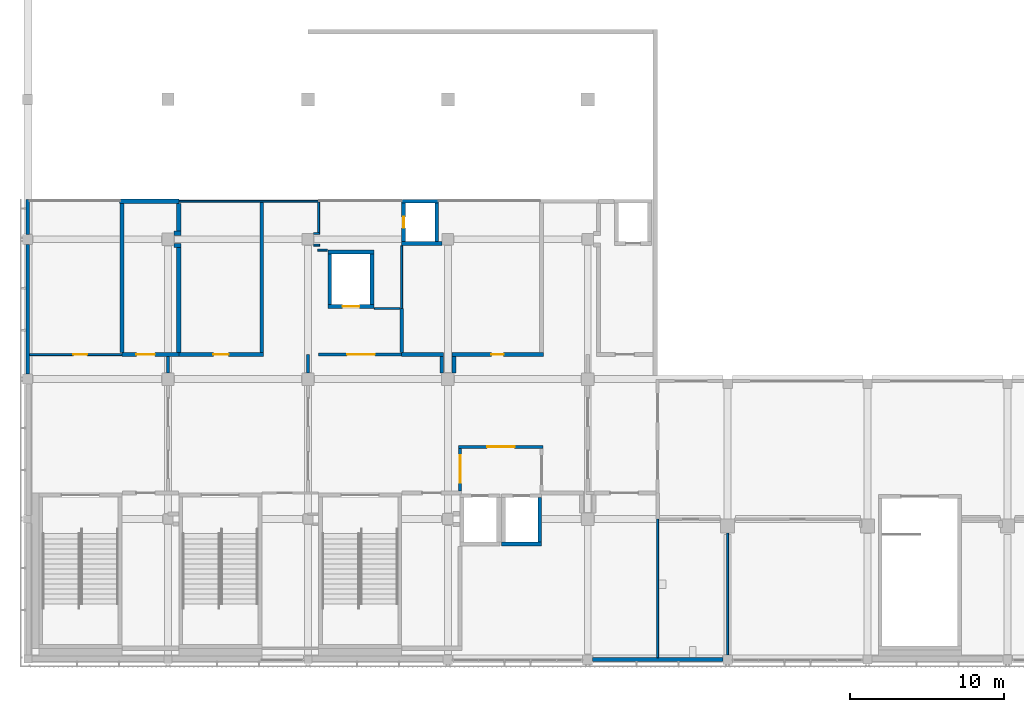
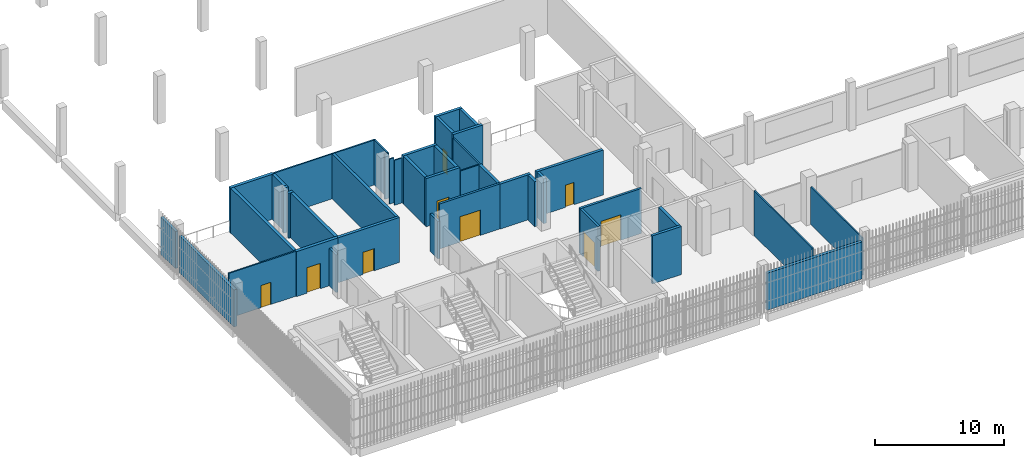
# One storey, part 54 of 104: 42 walls, 9 doors, 9 openings.
"""IFC4 building model written with IfcOpenShell, lengths in metres."""

from ifc_helpers import new_model, si_unit, direction, frame, frame_2d, origin, place, context, subcontext, project, spatial, rectangle, extrude, material, layer, layer_set, type_object, element, fill, save


model = new_model("IFC4")

# Units and contexts
model_context = context("Model", 3, precision=1e-05, world=origin(), true_north=direction((0.0, 1.0)))
body_context = subcontext(model_context, "Body", "Model", "MODEL_VIEW")
ifc_project = project(units=[si_unit("LENGTHUNIT", "METRE"), si_unit("AREAUNIT", "SQUARE_METRE"), si_unit("VOLUMEUNIT", "CUBIC_METRE"), si_unit("PLANEANGLEUNIT", "RADIAN"), si_unit("MASSUNIT", "GRAM", prefix="KILO")], contexts=[model_context])

# Site, building, storey
site_placement = place(None, origin())
site = spatial("IfcSite", under=ifc_project, at=site_placement, CompositionType="ELEMENT")
building_placement = place(site_placement, origin())
building = spatial("IfcBuilding", under=site, at=building_placement, Name="Shirokan Park Arena", CompositionType="ELEMENT")
storey_placement = place(building_placement, frame((0.0, 0.0, 10.919921875)))
storey = spatial("IfcBuildingStorey", under=building, at=storey_placement, Name="L02", CompositionType="ELEMENT", Elevation=10.919921875)

# Wall, opening, door
ifc_material_1 = material(Name="Plaster")
ifc_layer_1 = layer(ifc_material_1, 0.014892578125, Name="Plaster")
ifc_material_2 = material(Name="Concrete blockwork", Category="masonry")
ifc_layer_2 = layer(ifc_material_2, 0.219970703125, Name="Concrete blockwork 220")
ifc_layer_3 = layer(ifc_material_1, 0.014892578125, Name="Plaster")
ifc_layer_set_1 = layer_set([ifc_layer_1, ifc_layer_2, ifc_layer_3], Name="Plaster + Concrete blockwork 220")
wall_type_1 = type_object("IfcWallType", Name="Compartment wall 250", PredefinedType="SOLIDWALL", material=ifc_layer_set_1)
wall_1_placement = place(storey_placement, frame((9.800048828125, 19.800048828125, 0.0), z_axis=(0.0, 0.0, 1.0), x_axis=(1.0, 0.0, 0.0)))
wall_1 = element("IfcWall", 1, at=wall_1_placement, inside=storey, type_object=wall_type_1, Name="Compartment wall 250 L02", PredefinedType="SOLIDWALL", context=body_context, shape_type="SweptSolid", body=[
    extrude(rectangle(XDim=5.52490234375, YDim=0.25, at=frame_2d((2.762451171875, 0.0))), origin(), (0.0, 0.0, 1.0), 4.25),
])
opening_1_placement = place(wall_1_placement, frame((2.25, 0.0, 0.0)))
opening_1 = element("IfcOpeningElement", 2, at=opening_1_placement, cuts=wall_1, Name="Opening D-2005", PredefinedType="OPENING", context=body_context, shape_type="SweptSolid", body=[
    extrude(rectangle(XDim=1.0, YDim=2.10009765625, at=frame_2d((0.5, 1.050048828125))), frame((0.0, 0.135009765625, 0.0), z_axis=(0.0, -1.0, 0.0), x_axis=(1.0, 0.0, 0.0)), (0.0, 0.0, 1.0), 0.27001953125),
])
ifc_material_3 = material(Name="Timber door set, fire resisting", Category="wood")
door_type_1 = type_object("IfcDoorType", Name="Door 1000 x 2100", OperationType="SINGLE_SWING_LEFT", PredefinedType="DOOR", material=ifc_material_3)
door_1_placement = place(opening_1_placement, origin())
door_1 = element("IfcDoor", 3, at=door_1_placement, inside=storey, type_object=door_type_1, Name="Door to Glass Wash Room 2.16 D-2005", OperationType="SINGLE_SWING_RIGHT", OverallHeight=2.10009765625, OverallWidth=1.0, PredefinedType="DOOR", context=body_context, shape_type="SweptSolid", body=[
    extrude(rectangle(XDim=1.0, YDim=2.10009765625, at=frame_2d((0.5, 1.050048828125))), frame((0.0, 0.02490234375, 0.0), z_axis=(0.0, -1.0, 0.0), x_axis=(1.0, 0.0, 0.0)), (0.0, 0.0, 1.0), 0.050048828125),
])
fill(opening_1, door_1)

# Walls
wall_2_placement = place(storey_placement, frame((15.199951171875, 29.71240234375, 0.0), z_axis=(0.0, 0.0, 1.0), x_axis=(0.0, -1.0, 0.0)))
element("IfcWall", 4, at=wall_2_placement, inside=storey, type_object=wall_type_1, Name="Compartment wall 250 L02", PredefinedType="SOLIDWALL", context=body_context, shape_type="SweptSolid", body=[
    extrude(rectangle(XDim=9.787353515625, YDim=0.25, at=frame_2d((4.8935546875, 0.0))), origin(), (0.0, 0.0, 1.0), 4.25),
])
wall_3_placement = place(storey_placement, frame((24.300048828125, 19.800048828125, 0.0), z_axis=(0.0, 0.0, 1.0), x_axis=(1.0, 0.0, 0.0)))
element("IfcWall", 5, at=wall_3_placement, inside=storey, type_object=wall_type_1, Name="Compartment wall 250 L02", PredefinedType="SOLIDWALL", context=body_context, shape_type="SweptSolid", body=[
    extrude(rectangle(XDim=2.724853515625, YDim=0.25, at=frame_2d((1.3623046875, 0.0))), origin(), (0.0, 0.0, 1.0), 4.25),
])
wall_4_placement = place(storey_placement, frame((24.300048828125, 19.925048828125, 0.0), z_axis=(0.0, 0.0, 1.0), x_axis=(0.0, 1.0, 0.0)))
element("IfcWall", 6, at=wall_4_placement, inside=storey, type_object=wall_type_1, Name="Compartment wall 250 L02", PredefinedType="SOLIDWALL", context=body_context, shape_type="SweptSolid", body=[
    extrude(rectangle(XDim=2.875, YDim=0.25, at=frame_2d((1.4375, 0.0))), origin(), (0.0, 0.0, 1.0), 4.25),
])
wall_5_placement = place(storey_placement, frame((26.89990234375, 19.675048828125, 0.0), z_axis=(0.0, 0.0, 1.0), x_axis=(0.0, -1.0, 0.0)))
element("IfcWall", 7, at=wall_5_placement, inside=storey, type_object=wall_type_1, Name="Compartment wall 250 L02", PredefinedType="SOLIDWALL", context=body_context, shape_type="SweptSolid", body=[
    extrude(rectangle(XDim=1.074951171875, YDim=0.25, at=frame_2d((0.53759765625, 0.0))), origin(), (0.0, 0.0, 1.0), 4.25),
])

# Wall, opening, door
wall_6_placement = place(storey_placement, frame((27.574951171875, 19.800048828125, 0.0), z_axis=(0.0, 0.0, 1.0), x_axis=(1.0, 0.0, 0.0)))
wall_6 = element("IfcWall", 8, at=wall_6_placement, inside=storey, type_object=wall_type_1, Name="Compartment wall 250 L02", PredefinedType="SOLIDWALL", context=body_context, shape_type="SweptSolid", body=[
    extrude(rectangle(XDim=5.949951171875, YDim=0.25, at=frame_2d((2.97509765625, 0.0))), origin(), (0.0, 0.0, 1.0), 4.25),
])
opening_2_placement = place(wall_6_placement, frame((2.550048828125, 0.0, 0.0)))
opening_2 = element("IfcOpeningElement", 9, at=opening_2_placement, cuts=wall_6, Name="Opening D-2002", PredefinedType="OPENING", context=body_context, shape_type="SweptSolid", body=[
    extrude(rectangle(XDim=0.800048828125, YDim=2.10009765625, at=frame_2d((0.39990234375, 1.050048828125))), frame((0.0, 0.135009765625, 0.0), z_axis=(0.0, -1.0, 0.0), x_axis=(1.0, 0.0, 0.0)), (0.0, 0.0, 1.0), 0.27001953125),
])
door_type_2 = type_object("IfcDoorType", Name="Cleaner store door 800 x 2100", OperationType="SINGLE_SWING_LEFT", PredefinedType="DOOR", material=ifc_material_3)
door_2_placement = place(opening_2_placement, origin())
door_2 = element("IfcDoor", 10, at=door_2_placement, inside=storey, type_object=door_type_2, Name="Door to Cleaner's Store 2.18 D-2002", OperationType="SINGLE_SWING_RIGHT", OverallHeight=2.10009765625, OverallWidth=0.800048828125, PredefinedType="DOOR", context=body_context, shape_type="SweptSolid", body=[
    extrude(rectangle(XDim=0.800048828125, YDim=2.10009765625, at=frame_2d((0.39990234375, 1.050048828125))), frame((0.0, 0.02490234375, 0.0), z_axis=(0.0, -1.0, 0.0), x_axis=(1.0, 0.0, 0.0)), (0.0, 0.0, 1.0), 0.050048828125),
])
fill(opening_2, door_2)

# Walls
wall_7_placement = place(storey_placement, frame((27.699951171875, 18.60009765625, 0.0), z_axis=(0.0, 0.0, 1.0), x_axis=(0.0, 1.0, 0.0)))
element("IfcWall", 11, at=wall_7_placement, inside=storey, type_object=wall_type_1, Name="Compartment wall 250 L02", PredefinedType="SOLIDWALL", context=body_context, shape_type="SweptSolid", body=[
    extrude(rectangle(XDim=1.074951171875, YDim=0.25, at=frame_2d((0.53759765625, 0.0))), origin(), (0.0, 0.0, 1.0), 4.25),
])
ifc_material_4 = material(Name="Gypsum board")
ifc_layer_4 = layer(ifc_material_4, 0.02490234375, Name="Gypsum board, two layers")
ifc_material_5 = material(Name="Mineral wool insulation")
ifc_layer_5 = layer(ifc_material_5, 0.14990234375, Name="Mineral wool insulation")
ifc_layer_6 = layer(ifc_material_4, 0.02490234375, Name="Gypsum board, two layers")
ifc_layer_set_2 = layer_set([ifc_layer_4, ifc_layer_5, ifc_layer_6], Name="Gypsum board, two layers + Mineral wool insulation")
wall_type_2 = type_object("IfcWallType", Name="Corridor wall 200", PredefinedType="PARTITIONING", material=ifc_layer_set_2)
wall_8_placement = place(storey_placement, frame((9.10009765625, 19.66259765625, 0.0), z_axis=(0.0, 0.0, 1.0), x_axis=(0.0, -1.0, 0.0)))
element("IfcWall", 12, at=wall_8_placement, inside=storey, type_object=wall_type_2, Name="Corridor wall 200 L02", PredefinedType="PARTITIONING", context=body_context, shape_type="SweptSolid", body=[
    extrude(rectangle(XDim=1.0625, YDim=0.199951171875, at=frame_2d((0.53125, 0.0))), origin(), (0.0, 0.0, 1.0), 3.550048828125),
])
wall_9_placement = place(storey_placement, frame((18.199951171875, 19.800048828125, 0.0), z_axis=(0.0, 0.0, 1.0), x_axis=(0.0, -1.0, 0.0)))
element("IfcWall", 13, at=wall_9_placement, inside=storey, type_object=wall_type_2, Name="Corridor wall 200 L02", PredefinedType="PARTITIONING", context=body_context, shape_type="SweptSolid", body=[
    extrude(rectangle(XDim=1.199951171875, YDim=0.199951171875, at=frame_2d((0.60009765625, 0.0))), origin(), (0.0, 0.0, 1.0), 3.550048828125),
])

# Wall, opening, door
wall_10_placement = place(storey_placement, frame((18.89990234375, 19.800048828125, 0.0), z_axis=(0.0, 0.0, 1.0), x_axis=(1.0, 0.0, 0.0)))
wall_10 = element("IfcWall", 14, at=wall_10_placement, inside=storey, type_object=wall_type_2, Name="Corridor wall 200 L02", PredefinedType="PARTITIONING", context=body_context, shape_type="SweptSolid", body=[
    extrude(rectangle(XDim=5.400146484375, YDim=0.199951171875, at=frame_2d((2.7001953125, 0.0))), origin(), (0.0, 0.0, 1.0), 4.25),
])
opening_3_placement = place(wall_10_placement, frame((1.85009765625, 0.0, 0.0)))
opening_3 = element("IfcOpeningElement", 15, at=opening_3_placement, cuts=wall_10, Name="Opening D-2052", PredefinedType="OPENING", context=body_context, shape_type="SweptSolid", body=[
    extrude(rectangle(XDim=1.800048828125, YDim=2.39990234375, at=frame_2d((0.89990234375, 1.199951171875))), frame((0.0, 0.10986328125, 0.0), z_axis=(0.0, -1.0, 0.0), x_axis=(1.0, 0.0, 0.0)), (0.0, 0.0, 1.0), 0.219970703125),
])
ifc_material_6 = material(Name="Glazed steel door set, fire resisting", Category="steel")
door_type_3 = type_object("IfcDoorType", Name="Lift lobby door 1800 x 2400", OperationType="DOUBLE_DOOR_SINGLE_SWING", PredefinedType="DOOR", material=ifc_material_6)
door_3_placement = place(opening_3_placement, origin())
door_3 = element("IfcDoor", 16, at=door_3_placement, inside=storey, type_object=door_type_3, Name="Door between Club Gallery 1.2.3 and Service Lift Lobby 1.2 D-2052", OperationType="DOUBLE_DOOR_SINGLE_SWING", OverallHeight=2.39990234375, OverallWidth=1.800048828125, PredefinedType="DOOR", context=body_context, shape_type="SweptSolid", body=[
    extrude(rectangle(XDim=1.800048828125, YDim=2.39990234375, at=frame_2d((0.89990234375, 1.199951171875))), frame((0.0, 0.02490234375, 0.0), z_axis=(0.0, -1.0, 0.0), x_axis=(1.0, 0.0, 0.0)), (0.0, 0.0, 1.0), 0.050048828125),
])
fill(opening_3, door_3)

wall_11_placement = place(storey_placement, frame((28.10009765625, 13.699951171875, 0.0), z_axis=(0.0, 0.0, 1.0), x_axis=(0.0, -1.0, 0.0)))
wall_11 = element("IfcWall", 17, at=wall_11_placement, inside=storey, type_object=wall_type_2, Name="Corridor wall 200 L02", PredefinedType="PARTITIONING", context=body_context, shape_type="SweptSolid", body=[
    extrude(rectangle(XDim=2.762451171875, YDim=0.199951171875, at=frame_2d((1.38134765625, 0.0))), origin(), (0.0, 0.0, 1.0), 4.25),
])
opening_4_placement = place(wall_11_placement, frame((0.449951171875, 0.0, 0.0)))
opening_4 = element("IfcOpeningElement", 18, at=opening_4_placement, cuts=wall_11, Name="Opening D-2051", PredefinedType="OPENING", context=body_context, shape_type="SweptSolid", body=[
    extrude(rectangle(XDim=1.800048828125, YDim=2.39990234375, at=frame_2d((0.89990234375, 1.199951171875))), frame((0.0, 0.10986328125, 0.0), z_axis=(0.0, -1.0, 0.0), x_axis=(1.0, 0.0, 0.0)), (0.0, 0.0, 1.0), 0.219970703125),
])
door_4_placement = place(opening_4_placement, origin())
door_4 = element("IfcDoor", 19, at=door_4_placement, inside=storey, type_object=door_type_3, Name="Door between Club Gallery 1.2.3 and Lift Lobby 1.2 D-2051", OperationType="DOUBLE_DOOR_SINGLE_SWING", OverallHeight=2.39990234375, OverallWidth=1.800048828125, PredefinedType="DOOR", context=body_context, shape_type="SweptSolid", body=[
    extrude(rectangle(XDim=1.800048828125, YDim=2.39990234375, at=frame_2d((0.89990234375, 1.199951171875))), frame((0.0, 0.02490234375, 0.0), z_axis=(0.0, -1.0, 0.0), x_axis=(1.0, 0.0, 0.0)), (0.0, 0.0, 1.0), 0.050048828125),
])
fill(opening_4, door_4)

wall_12_placement = place(storey_placement, frame((33.5, 13.800048828125, 0.0), z_axis=(0.0, 0.0, 1.0), x_axis=(-1.0, 0.0, 0.0)))
wall_12 = element("IfcWall", 20, at=wall_12_placement, inside=storey, type_object=wall_type_2, Name="Corridor wall 200 L02", PredefinedType="PARTITIONING", context=body_context, shape_type="SweptSolid", body=[
    extrude(rectangle(XDim=5.5, YDim=0.199951171875, at=frame_2d((2.75, 0.0))), origin(), (0.0, 0.0, 1.0), 4.25),
])
opening_5_placement = place(wall_12_placement, frame((1.85009765625, 0.0, 0.0)))
opening_5 = element("IfcOpeningElement", 21, at=opening_5_placement, cuts=wall_12, Name="Opening D-2049", PredefinedType="OPENING", context=body_context, shape_type="SweptSolid", body=[
    extrude(rectangle(XDim=1.800048828125, YDim=2.39990234375, at=frame_2d((0.89990234375, 1.199951171875))), frame((0.0, 0.10986328125, 0.0), z_axis=(0.0, -1.0, 0.0), x_axis=(1.0, 0.0, 0.0)), (0.0, 0.0, 1.0), 0.219970703125),
])
door_5_placement = place(opening_5_placement, origin())
door_5 = element("IfcDoor", 22, at=door_5_placement, inside=storey, type_object=door_type_3, Name="Door between Club Gallery 1.2.3 and Lift Lobby 1.2 D-2049", OperationType="DOUBLE_DOOR_SINGLE_SWING", OverallHeight=2.39990234375, OverallWidth=1.800048828125, PredefinedType="DOOR", context=body_context, shape_type="SweptSolid", body=[
    extrude(rectangle(XDim=1.800048828125, YDim=2.39990234375, at=frame_2d((0.89990234375, 1.199951171875))), frame((0.0, 0.02490234375, 0.0), z_axis=(0.0, -1.0, 0.0), x_axis=(1.0, 0.0, 0.0)), (0.0, 0.0, 1.0), 0.050048828125),
])
fill(opening_5, door_5)

ifc_layer_7 = layer(ifc_material_1, 0.012451171875, Name="Plaster")
ifc_layer_8 = layer(ifc_material_2, 0.25, Name="Concrete blockwork 250")
ifc_layer_9 = layer(ifc_material_1, 0.012451171875, Name="Plaster")
ifc_layer_set_3 = layer_set([ifc_layer_7, ifc_layer_8, ifc_layer_9], Name="Plaster + Concrete blockwork 250")
wall_type_3 = type_object("IfcWallType", Name="Plant room wall 275", PredefinedType="SOLIDWALL", material=ifc_layer_set_3)
wall_13_placement = place(storey_placement, frame((6.10009765625, 19.800048828125, 0.0), z_axis=(0.0, 0.0, 1.0), x_axis=(1.0, 0.0, 0.0)))
wall_13 = element("IfcWall", 23, at=wall_13_placement, inside=storey, type_object=wall_type_3, Name="Plant room wall 275 L02", PredefinedType="SOLIDWALL", context=body_context, shape_type="SweptSolid", body=[
    extrude(rectangle(XDim=3.699951171875, YDim=0.27490234375, at=frame_2d((1.85009765625, 0.0))), origin(), (0.0, 0.0, 1.0), 4.25),
])
opening_6_placement = place(wall_13_placement, frame((0.949951171875, 0.0, 0.0)))
opening_6 = element("IfcOpeningElement", 24, at=opening_6_placement, cuts=wall_13, Name="Opening D-2001", PredefinedType="OPENING", context=body_context, shape_type="SweptSolid", body=[
    extrude(rectangle(XDim=1.199951171875, YDim=2.39990234375, at=frame_2d((0.60009765625, 1.199951171875))), frame((0.0, 0.1474609375, 0.0), z_axis=(0.0, -1.0, 0.0), x_axis=(1.0, 0.0, 0.0)), (0.0, 0.0, 1.0), 0.294921875),
])
ifc_material_7 = material(Name="Louvred steel door set, fire resisting", Category="steel")
door_type_4 = type_object("IfcDoorType", Name="Plant room door 1200 x 2400", OperationType="SINGLE_SWING_LEFT", PredefinedType="DOOR", material=ifc_material_7)
door_6_placement = place(opening_6_placement, origin())
door_6 = element("IfcDoor", 25, at=door_6_placement, inside=storey, type_object=door_type_4, Name="Door to Communications Room 2.17 D-2001", OperationType="SINGLE_SWING_LEFT", OverallHeight=2.39990234375, OverallWidth=1.199951171875, PredefinedType="DOOR", context=body_context, shape_type="SweptSolid", body=[
    extrude(rectangle(XDim=1.199951171875, YDim=2.39990234375, at=frame_2d((0.60009765625, 1.199951171875))), frame((0.0, 0.02490234375, 0.0), z_axis=(0.0, -1.0, 0.0), x_axis=(1.0, 0.0, 0.0)), (0.0, 0.0, 1.0), 0.050048828125),
])
fill(opening_6, door_6)

# Walls
wall_14_placement = place(storey_placement, frame((6.10009765625, 29.637451171875, 0.0), z_axis=(0.0, 0.0, 1.0), x_axis=(0.0, -1.0, 0.0)))
element("IfcWall", 26, at=wall_14_placement, inside=storey, type_object=wall_type_3, Name="Plant room wall 275 L02", PredefinedType="SOLIDWALL", context=body_context, shape_type="SweptSolid", body=[
    extrude(rectangle(XDim=9.699951171875, YDim=0.27490234375, at=frame_2d((4.85009765625, 0.0))), origin(), (0.0, 0.0, 1.0), 4.25),
])
wall_15_placement = place(storey_placement, frame((9.5, 27.699951171875, 0.0), z_axis=(0.0, 0.0, 1.0), x_axis=(1.0, 0.0, 0.0)))
element("IfcWall", 27, at=wall_15_placement, inside=storey, type_object=wall_type_3, Name="Plant room wall 275 L02", PredefinedType="SOLIDWALL", context=body_context, shape_type="SweptSolid", body=[
    extrude(rectangle(XDim=0.4375, YDim=0.27490234375, at=frame_2d((0.21875, 0.0))), origin(), (0.0, 0.0, 1.0), 4.25),
])
wall_16_placement = place(storey_placement, frame((9.800048828125, 19.9375, 0.0), z_axis=(0.0, 0.0, 1.0), x_axis=(0.0, 1.0, 0.0)))
element("IfcWall", 28, at=wall_16_placement, inside=storey, type_object=wall_type_3, Name="Plant room wall 275 L02", PredefinedType="SOLIDWALL", context=body_context, shape_type="SweptSolid", body=[
    extrude(rectangle(XDim=6.824951171875, YDim=0.27490234375, at=frame_2d((3.41259765625, 0.0))), origin(), (0.0, 0.0, 1.0), 4.25),
])
wall_17_placement = place(storey_placement, frame((9.800048828125, 27.83740234375, 0.0), z_axis=(0.0, 0.0, 1.0), x_axis=(0.0, 1.0, 0.0)))
element("IfcWall", 29, at=wall_17_placement, inside=storey, type_object=wall_type_3, Name="Plant room wall 275 L02", PredefinedType="SOLIDWALL", context=body_context, shape_type="SweptSolid", body=[
    extrude(rectangle(XDim=1.800048828125, YDim=0.27490234375, at=frame_2d((0.89990234375, 0.0))), origin(), (0.0, 0.0, 1.0), 4.25),
])
wall_18_placement = place(storey_placement, frame((9.800048828125, 29.77490234375, 0.0), z_axis=(0.0, 0.0, 1.0), x_axis=(-1.0, 0.0, 0.0)))
element("IfcWall", 30, at=wall_18_placement, inside=storey, type_object=wall_type_3, Name="Plant room wall 275 L02", PredefinedType="SOLIDWALL", context=body_context, shape_type="SweptSolid", body=[
    extrude(rectangle(XDim=3.837646484375, YDim=0.27490234375, at=frame_2d((1.9189453125, 0.0))), origin(), (0.0, 0.0, 1.0), 4.25),
])
wall_19_placement = place(storey_placement, frame((9.9375, 26.89990234375, 0.0), z_axis=(0.0, 0.0, 1.0), x_axis=(-1.0, 0.0, 0.0)))
element("IfcWall", 31, at=wall_19_placement, inside=storey, type_object=wall_type_3, Name="Plant room wall 275 L02", PredefinedType="SOLIDWALL", context=body_context, shape_type="SweptSolid", body=[
    extrude(rectangle(XDim=0.4375, YDim=0.27490234375, at=frame_2d((0.21875, 0.0))), origin(), (0.0, 0.0, 1.0), 4.25),
])
ifc_material_8 = material(Name="Concrete C40/50 precast", Category="concrete")
ifc_layer_10 = layer(ifc_material_8, 0.10009765625, Name="Concrete C40/50 precast")
ifc_layer_11 = layer(ifc_material_5, 0.10009765625, Name="Mineral wool insulation")
ifc_material_9 = material(Name="Gypsum board lining")
ifc_layer_12 = layer(ifc_material_9, 0.050048828125, Name="Gypsum board lining")
ifc_layer_set_4 = layer_set([ifc_layer_10, ifc_layer_11, ifc_layer_12], Name="Concrete C40/50 precast + Mineral wool insulation + Gypsum board lining")
wall_type_4 = type_object("IfcWallType", Name="Precast concrete panel wall 250", PredefinedType="SOLIDWALL", material=ifc_layer_set_4)
wall_20_placement = place(storey_placement, frame((36.72509765625, -0.02490234375, 0.0), z_axis=(0.0, 0.0, 1.0), x_axis=(1.0, 0.0, 0.0)))
element("IfcWall", 32, at=wall_20_placement, inside=storey, type_object=wall_type_4, Name="South facade wall bay 5 L02", PredefinedType="SOLIDWALL", context=body_context, shape_type="SweptSolid", body=[
    extrude(rectangle(XDim=8.474853515625, YDim=0.25, at=frame_2d((4.2373046875, 0.0))), origin(), (0.0, 0.0, 1.0), 3.5),
])
wall_21_placement = place(storey_placement, frame((-0.02490234375, 29.89990234375, 0.0), z_axis=(0.0, 0.0, 1.0), x_axis=(0.0, -1.0, 0.0)))
element("IfcWall", 33, at=wall_21_placement, inside=storey, type_object=wall_type_4, Name="West facade wall bay 9 L02", PredefinedType="SOLIDWALL", context=body_context, shape_type="SweptSolid", body=[
    extrude(rectangle(XDim=2.27490234375, YDim=0.25, at=frame_2d((1.137451171875, 0.0))), origin(), (0.0, 0.0, 1.0), 3.5),
])
wall_22_placement = place(storey_placement, frame((-0.02490234375, 26.97509765625, 0.0), z_axis=(0.0, 0.0, 1.0), x_axis=(0.0, -1.0, 0.0)))
element("IfcWall", 34, at=wall_22_placement, inside=storey, type_object=wall_type_4, Name="West facade wall bay 10 L02", PredefinedType="SOLIDWALL", context=body_context, shape_type="SweptSolid", body=[
    extrude(rectangle(XDim=8.4501953125, YDim=0.25, at=frame_2d((4.22509765625, 0.0))), origin(), (0.0, 0.0, 1.0), 3.5),
])
ifc_material_10 = material(Name="Concrete C40/50", Category="concrete")
ifc_layer_13 = layer(ifc_material_10, 0.25)
ifc_layer_set_5 = layer_set([ifc_layer_13], Name="Concrete C40/50 250 mm")
wall_type_5 = type_object("IfcWallType", Name="RC shear wall 250", PredefinedType="SHEAR", material=ifc_layer_set_5)
wall_23_placement = place(storey_placement, frame((33.39990234375, 7.47509765625, 0.0), z_axis=(0.0, 0.0, 1.0), x_axis=(-1.0, 0.0, 0.0)))
element("IfcWall", 35, at=wall_23_placement, inside=storey, type_object=wall_type_5, Name="Shaft wall Passenger Lift 1.2 S L02", PredefinedType="SHEAR", context=body_context, shape_type="SweptSolid", body=[
    extrude(rectangle(XDim=2.599853515625, YDim=0.25, at=frame_2d((1.2998046875, 0.0))), origin(), (0.0, 0.0, 1.0), 4.550048828125),
])
wall_24_placement = place(storey_placement, frame((33.27490234375, 10.5, 0.0), z_axis=(0.0, 0.0, 1.0), x_axis=(0.0, -1.0, 0.0)))
element("IfcWall", 36, at=wall_24_placement, inside=storey, type_object=wall_type_5, Name="Shaft wall Passenger Lift 1.2 E L02", PredefinedType="SHEAR", context=body_context, shape_type="SweptSolid", body=[
    extrude(rectangle(XDim=2.89990234375, YDim=0.25, at=frame_2d((1.449951171875, 0.0))), origin(), (0.0, 0.0, 1.0), 4.550048828125),
])
wall_25_placement = place(storey_placement, frame((26.925048828125, 27.02490234375, 0.0), z_axis=(0.0, 0.0, 1.0), x_axis=(-1.0, 0.0, 0.0)))
element("IfcWall", 37, at=wall_25_placement, inside=storey, type_object=wall_type_5, Name="Shaft wall Services Riser 1.2 S L02", PredefinedType="SHEAR", context=body_context, shape_type="SweptSolid", body=[
    extrude(rectangle(XDim=2.625, YDim=0.25, at=frame_2d((1.3125, 0.0))), origin(), (0.0, 0.0, 1.0), 4.550048828125),
])
wall_26_placement = place(storey_placement, frame((26.699951171875, 29.77490234375, 0.0), z_axis=(0.0, 0.0, 1.0), x_axis=(-1.0, 0.0, 0.0)))
element("IfcWall", 38, at=wall_26_placement, inside=storey, type_object=wall_type_5, Name="Shaft wall Services Riser 1.2 N L02", PredefinedType="SHEAR", context=body_context, shape_type="SweptSolid", body=[
    extrude(rectangle(XDim=2.39990234375, YDim=0.25, at=frame_2d((1.199951171875, 0.0))), origin(), (0.0, 0.0, 1.0), 4.550048828125),
])

# Wall, opening, door
wall_27_placement = place(storey_placement, frame((24.425048828125, 29.64990234375, 0.0), z_axis=(0.0, 0.0, 1.0), x_axis=(0.0, -1.0, 0.0)))
wall_27 = element("IfcWall", 39, at=wall_27_placement, inside=storey, type_object=wall_type_5, Name="Shaft wall Services Riser 1.2 W L02", PredefinedType="SHEAR", context=body_context, shape_type="SweptSolid", body=[
    extrude(rectangle(XDim=2.5, YDim=0.25, at=frame_2d((1.25, 0.0))), origin(), (0.0, 0.0, 1.0), 4.550048828125),
])
opening_7_placement = place(wall_27_placement, frame((0.89990234375, 0.0, 0.0)))
opening_7 = element("IfcOpeningElement", 40, at=opening_7_placement, cuts=wall_27, Name="Opening D-2084", PredefinedType="OPENING", context=body_context, shape_type="SweptSolid", body=[
    extrude(rectangle(XDim=0.699951171875, YDim=2.10009765625, at=frame_2d((0.35009765625, 1.050048828125))), frame((0.0, 0.135009765625, 0.0), z_axis=(0.0, -1.0, 0.0), x_axis=(1.0, 0.0, 0.0)), (0.0, 0.0, 1.0), 0.27001953125),
])
ifc_material_11 = material(Name="Steel door set, fire resisting", Category="steel")
door_type_5 = type_object("IfcDoorType", Name="Mechanical riser door 700 x 2100", OperationType="SINGLE_SWING_LEFT", PredefinedType="DOOR", material=ifc_material_11)
door_7_placement = place(opening_7_placement, origin())
door_7 = element("IfcDoor", 41, at=door_7_placement, inside=storey, type_object=door_type_5, Name="Riser access door Services Riser 1.2 D-2084", OperationType="SINGLE_SWING_LEFT", OverallHeight=2.10009765625, OverallWidth=0.699951171875, PredefinedType="DOOR", context=body_context, shape_type="SweptSolid", body=[
    extrude(rectangle(XDim=0.699951171875, YDim=2.10009765625, at=frame_2d((0.35009765625, 1.050048828125))), frame((0.0, 0.02490234375, 0.0), z_axis=(0.0, -1.0, 0.0), x_axis=(1.0, 0.0, 0.0)), (0.0, 0.0, 1.0), 0.050048828125),
])
fill(opening_7, door_7)

# Wall
wall_28_placement = place(storey_placement, frame((26.574951171875, 29.64990234375, 0.0), z_axis=(0.0, 0.0, 1.0), x_axis=(0.0, -1.0, 0.0)))
element("IfcWall", 42, at=wall_28_placement, inside=storey, type_object=wall_type_5, Name="Shaft wall Services Riser 1.2 E L02", PredefinedType="SHEAR", context=body_context, shape_type="SweptSolid", body=[
    extrude(rectangle(XDim=2.5, YDim=0.25, at=frame_2d((1.25, 0.0))), origin(), (0.0, 0.0, 1.0), 4.550048828125),
])

# Wall, opening, door
wall_29_placement = place(storey_placement, frame((22.5, 22.925048828125, 0.0), z_axis=(0.0, 0.0, 1.0), x_axis=(-1.0, 0.0, 0.0)))
wall_29 = element("IfcWall", 43, at=wall_29_placement, inside=storey, type_object=wall_type_5, Name="Shaft wall Service Lift 1 S L02", PredefinedType="SHEAR", context=body_context, shape_type="SweptSolid", body=[
    extrude(rectangle(XDim=3.0, YDim=0.25, at=frame_2d((1.5, 0.0))), origin(), (0.0, 0.0, 1.0), 4.550048828125),
])
opening_8_placement = place(wall_29_placement, frame((0.949951171875, 0.0, 0.0)))
opening_8 = element("IfcOpeningElement", 44, at=opening_8_placement, cuts=wall_29, Name="Opening LD51", PredefinedType="OPENING", context=body_context, shape_type="SweptSolid", body=[
    extrude(rectangle(XDim=1.10009765625, YDim=2.10009765625, at=frame_2d((0.550048828125, 1.050048828125))), frame((0.0, 0.135009765625, 0.0), z_axis=(0.0, -1.0, 0.0), x_axis=(1.0, 0.0, 0.0)), (0.0, 0.0, 1.0), 0.27001953125),
])
ifc_material_12 = material(Name="Stainless steel", Category="steel")
door_type_6 = type_object("IfcDoorType", Name="Lift landing door 1100x2100", OperationType="DOUBLE_DOOR_SLIDING", PredefinedType="DOOR", material=ifc_material_12)
door_8_placement = place(opening_8_placement, origin())
door_8 = element("IfcDoor", 45, at=door_8_placement, inside=storey, type_object=door_type_6, Name="Lift landing door Service Lift 1 L02", OperationType="DOUBLE_DOOR_SLIDING", OverallHeight=2.10009765625, OverallWidth=1.10009765625, PredefinedType="DOOR", context=body_context, shape_type="SweptSolid", body=[
    extrude(rectangle(XDim=1.10009765625, YDim=2.10009765625, at=frame_2d((0.550048828125, 1.050048828125))), frame((0.0, 0.02490234375, 0.0), z_axis=(0.0, -1.0, 0.0), x_axis=(1.0, 0.0, 0.0)), (0.0, 0.0, 1.0), 0.050048828125),
])
fill(opening_8, door_8)

# Walls
wall_30_placement = place(storey_placement, frame((22.5, 26.47509765625, 0.0), z_axis=(0.0, 0.0, 1.0), x_axis=(-1.0, 0.0, 0.0)))
element("IfcWall", 46, at=wall_30_placement, inside=storey, type_object=wall_type_5, Name="Shaft wall Service Lift 1 N L02", PredefinedType="SHEAR", context=body_context, shape_type="SweptSolid", body=[
    extrude(rectangle(XDim=3.0, YDim=0.25, at=frame_2d((1.5, 0.0))), origin(), (0.0, 0.0, 1.0), 4.550048828125),
])
for number, where, z_axis, x_axis, name in (
    (47, (19.625, 26.35009765625, 0.0), (0.0, 0.0, 1.0), (0.0, -1.0, 0.0), "Shaft wall Service Lift 1 W L02"),
    (48, (22.375, 26.35009765625, 0.0), (0.0, 0.0, 1.0), (0.0, -1.0, 0.0), "Shaft wall Service Lift 1 E L02"),
):
    element("IfcWall", number, at=place(storey_placement, frame(where, z_axis=z_axis, x_axis=x_axis)), inside=storey, type_object=wall_type_5, Name=name, PredefinedType="SHEAR", context=body_context, shape_type="SweptSolid", body=[
        extrude(rectangle(XDim=3.300048828125, YDim=0.25, at=frame_2d((1.64990234375, 0.0))), origin(), (0.0, 0.0, 1.0), 4.550048828125),
    ])

# Wall, opening, door
ifc_material_13 = material(Name="Ceramic tile")
ifc_layer_14 = layer(ifc_material_13, 0.010009765625, Name="Ceramic tile")
ifc_material_14 = material(Name="Cement board")
ifc_layer_15 = layer(ifc_material_14, 0.012451171875, Name="Cement board")
ifc_layer_16 = layer(ifc_material_5, 0.080078125, Name="Mineral wool insulation")
ifc_layer_17 = layer(ifc_material_14, 0.012451171875, Name="Cement board")
ifc_layer_18 = layer(ifc_material_13, 0.010009765625, Name="Ceramic tile")
ifc_layer_set_6 = layer_set([ifc_layer_14, ifc_layer_15, ifc_layer_16, ifc_layer_17, ifc_layer_18], Name="Ceramic tile + Cement board + Mineral wool insulation")
wall_type_6 = type_object("IfcWallType", Name="Wet-area wall 125", PredefinedType="PARTITIONING", material=ifc_layer_set_6)
wall_31_placement = place(storey_placement, frame((0.10009765625, 19.800048828125, 0.0), z_axis=(0.0, 0.0, 1.0), x_axis=(1.0, 0.0, 0.0)))
wall_31 = element("IfcWall", 49, at=wall_31_placement, inside=storey, type_object=wall_type_6, Name="Wet-area wall 125 L02", PredefinedType="PARTITIONING", context=body_context, shape_type="SweptSolid", body=[
    extrude(rectangle(XDim=6.0, YDim=0.125, at=frame_2d((3.0, 0.0))), origin(), (0.0, 0.0, 1.0), 4.25),
])
opening_9_placement = place(wall_31_placement, frame((2.85009765625, 0.0, 0.0)))
opening_9 = element("IfcOpeningElement", 50, at=opening_9_placement, cuts=wall_31, Name="Opening D-2004", PredefinedType="OPENING", context=body_context, shape_type="SweptSolid", body=[
    extrude(rectangle(XDim=0.89990234375, YDim=2.10009765625, at=frame_2d((0.449951171875, 1.050048828125))), frame((0.0, 0.072509765625, 0.0), z_axis=(0.0, -1.0, 0.0), x_axis=(1.0, 0.0, 0.0)), (0.0, 0.0, 1.0), 0.14501953125),
])
door_type_7 = type_object("IfcDoorType", Name="Door 900 x 2100", OperationType="SINGLE_SWING_LEFT", PredefinedType="DOOR", material=ifc_material_3)
door_9_placement = place(opening_9_placement, origin())
door_9 = element("IfcDoor", 51, at=door_9_placement, inside=storey, type_object=door_type_7, Name="Door to Staff WC 2.15 D-2004", OperationType="SINGLE_SWING_LEFT", OverallHeight=2.10009765625, OverallWidth=0.89990234375, PredefinedType="DOOR", context=body_context, shape_type="SweptSolid", body=[
    extrude(rectangle(XDim=0.89990234375, YDim=2.10009765625, at=frame_2d((0.449951171875, 1.050048828125))), frame((0.0, 0.02490234375, 0.0), z_axis=(0.0, -1.0, 0.0), x_axis=(1.0, 0.0, 0.0)), (0.0, 0.0, 1.0), 0.050048828125),
])
fill(opening_9, door_9)

# Walls
wall_32_placement = place(storey_placement, frame((9.800048828125, 29.77490234375, 0.0), z_axis=(0.0, 0.0, 1.0), x_axis=(1.0, 0.0, 0.0)))
element("IfcWall", 52, at=wall_32_placement, inside=storey, type_object=wall_type_6, Name="Wet-area wall 125 L02", PredefinedType="PARTITIONING", context=body_context, shape_type="SweptSolid", body=[
    extrude(rectangle(XDim=9.162353515625, YDim=0.125, at=frame_2d((4.5810546875, 0.0))), origin(), (0.0, 0.0, 1.0), 4.25),
])
wall_33_placement = place(storey_placement, frame((18.574951171875, 27.675048828125, 0.0), z_axis=(0.0, 0.0, 1.0), x_axis=(1.0, 0.0, 0.0)))
element("IfcWall", 53, at=wall_33_placement, inside=storey, type_object=wall_type_6, Name="Wet-area wall 125 L02", PredefinedType="PARTITIONING", context=body_context, shape_type="SweptSolid", body=[
    extrude(rectangle(XDim=0.387451171875, YDim=0.125, at=frame_2d((0.19384765625, 0.0))), origin(), (0.0, 0.0, 1.0), 4.25),
])
wall_34_placement = place(storey_placement, frame((18.89990234375, 27.737548828125, 0.0), z_axis=(0.0, 0.0, 1.0), x_axis=(0.0, 1.0, 0.0)))
element("IfcWall", 54, at=wall_34_placement, inside=storey, type_object=wall_type_6, Name="Wet-area wall 125 L02", PredefinedType="PARTITIONING", context=body_context, shape_type="SweptSolid", body=[
    extrude(rectangle(XDim=1.974853515625, YDim=0.125, at=frame_2d((0.9873046875, 0.0))), origin(), (0.0, 0.0, 1.0), 4.25),
])
wall_35_placement = place(storey_placement, frame((18.96240234375, 26.925048828125, 0.0), z_axis=(0.0, 0.0, 1.0), x_axis=(-1.0, 0.0, 0.0)))
element("IfcWall", 55, at=wall_35_placement, inside=storey, type_object=wall_type_6, Name="Wet-area wall 125 L02", PredefinedType="PARTITIONING", context=body_context, shape_type="SweptSolid", body=[
    extrude(rectangle(XDim=0.387451171875, YDim=0.125, at=frame_2d((0.19384765625, 0.0))), origin(), (0.0, 0.0, 1.0), 4.25),
])
wall_36_placement = place(storey_placement, frame((19.469970703125, 26.60009765625, 0.0), z_axis=(0.0, 0.0, 1.0), x_axis=(-1.0, 0.0, 0.0)))
element("IfcWall", 56, at=wall_36_placement, inside=storey, type_object=wall_type_6, Name="Wet-area wall 125 L02", PredefinedType="PARTITIONING", context=body_context, shape_type="SweptSolid", body=[
    extrude(rectangle(XDim=0.632568359375, YDim=0.125, at=frame_2d((0.31640625, 0.0))), origin(), (0.0, 0.0, 1.0), 4.25),
])
wall_37_placement = place(storey_placement, frame((24.175048828125, 22.800048828125, 0.0), z_axis=(0.0, 0.0, 1.0), x_axis=(-1.0, 0.0, 0.0)))
element("IfcWall", 57, at=wall_37_placement, inside=storey, type_object=wall_type_6, Name="Wet-area wall 125 L02", PredefinedType="PARTITIONING", context=body_context, shape_type="SweptSolid", body=[
    extrude(rectangle(XDim=1.64501953125, YDim=0.125, at=frame_2d((0.822509765625, 0.0))), origin(), (0.0, 0.0, 1.0), 4.25),
])
wall_38_placement = place(storey_placement, frame((24.300048828125, 26.8701171875, 0.0), z_axis=(0.0, 0.0, 1.0), x_axis=(0.0, -1.0, 0.0)))
element("IfcWall", 58, at=wall_38_placement, inside=storey, type_object=wall_type_6, Name="Wet-area wall 125 L02", PredefinedType="PARTITIONING", context=body_context, shape_type="SweptSolid", body=[
    extrude(rectangle(XDim=4.070068359375, YDim=0.125, at=frame_2d((2.03515625, 0.0))), origin(), (0.0, 0.0, 1.0), 4.25),
])
wall_39_placement = place(storey_placement, frame((40.949951171875, 0.10009765625, 0.0), z_axis=(0.0, 0.0, 1.0), x_axis=(0.0, 1.0, 0.0)))
element("IfcWall", 59, at=wall_39_placement, inside=storey, type_object=wall_type_6, Name="Wet-area wall 125 L02", PredefinedType="PARTITIONING", context=body_context, shape_type="SweptSolid", body=[
    extrude(rectangle(XDim=9.0, YDim=0.125, at=frame_2d((4.5, 0.0))), origin(), (0.0, 0.0, 1.0), 4.25),
])
wall_40_placement = place(storey_placement, frame((45.5, 8.199951171875, 0.0), z_axis=(0.0, 0.0, 1.0), x_axis=(0.0, -1.0, 0.0)))
element("IfcWall", 60, at=wall_40_placement, inside=storey, type_object=wall_type_6, Name="Wet-area wall 125 L02", PredefinedType="PARTITIONING", context=body_context, shape_type="SweptSolid", body=[
    extrude(rectangle(XDim=7.949951171875, YDim=0.125, at=frame_2d((3.97509765625, 0.0))), origin(), (0.0, 0.0, 1.0), 3.550048828125),
])

save(model, "model.ifc")
